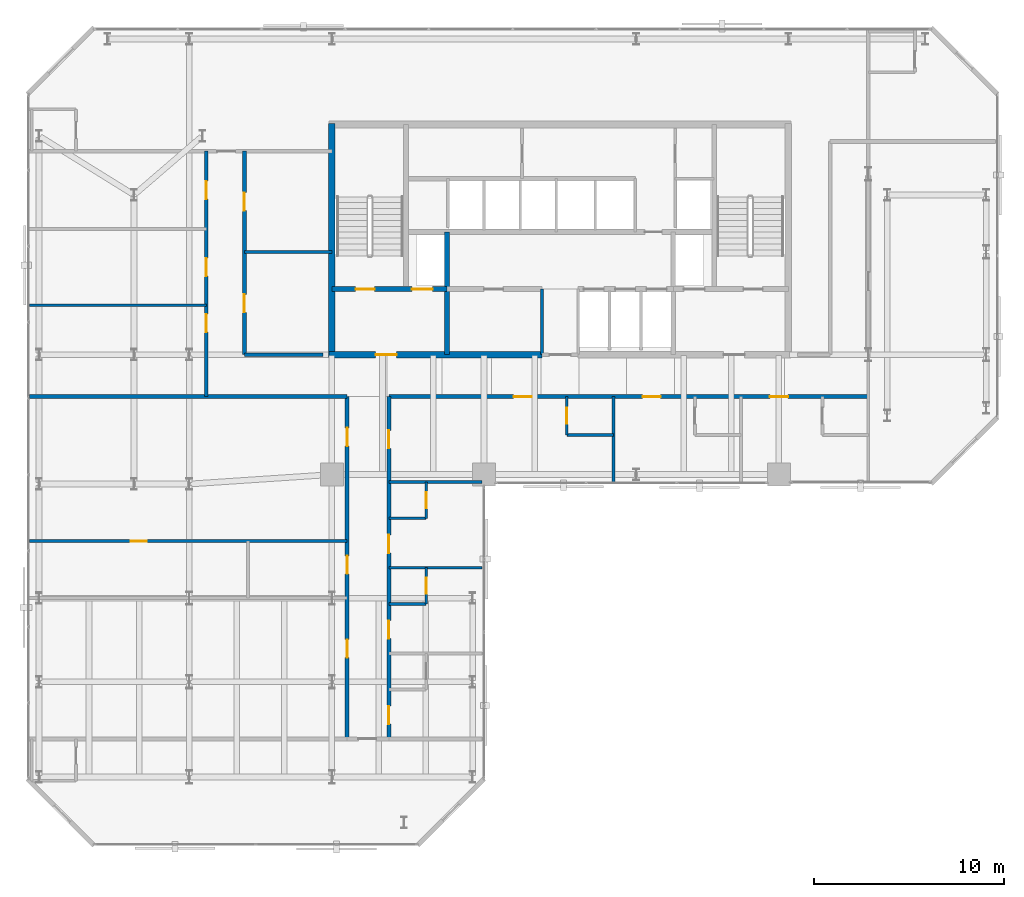
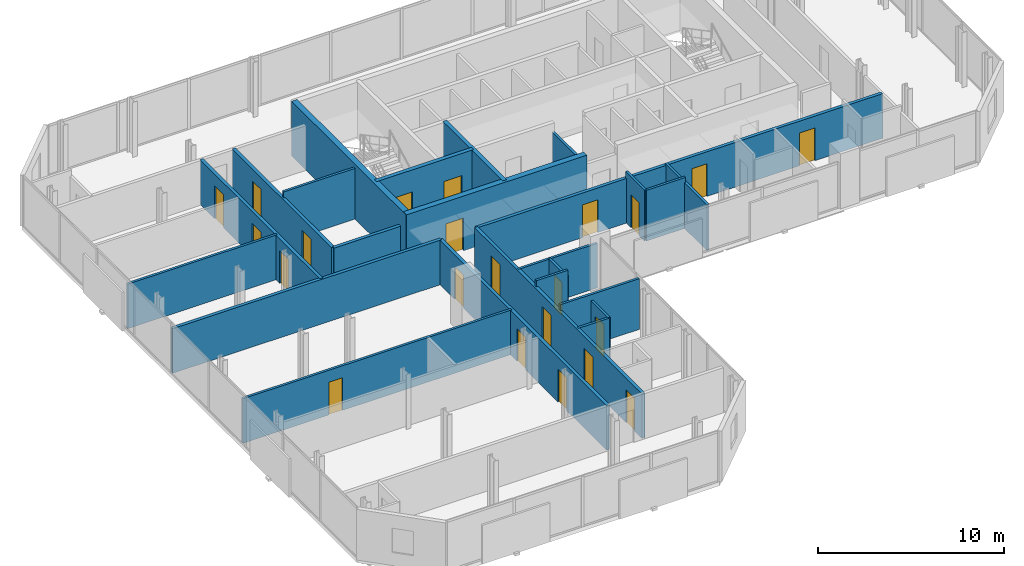
# One storey, part 28 of 32: 24 walls, 22 doors, 22 openings.
"""IFC4 building model written with IfcOpenShell, lengths in metres."""

from ifc_helpers import new_model, si_unit, direction, frame, frame_2d, origin, place, context, subcontext, project, spatial, rectangle, extrude, material, layer, layer_set, type_object, element, fill, save


model = new_model("IFC4")

# Units and contexts
model_context = context("Model", 3, precision=1e-05, world=origin(), true_north=direction((0.0, 1.0)))
body_context = subcontext(model_context, "Body", "Model", "MODEL_VIEW")
ifc_project = project(units=[si_unit("LENGTHUNIT", "METRE"), si_unit("AREAUNIT", "SQUARE_METRE"), si_unit("VOLUMEUNIT", "CUBIC_METRE"), si_unit("PLANEANGLEUNIT", "RADIAN"), si_unit("MASSUNIT", "GRAM", prefix="KILO")], contexts=[model_context])

# Site, building, storey
site_placement = place(None, origin())
site = spatial("IfcSite", under=ifc_project, at=site_placement, CompositionType="ELEMENT")
building_placement = place(site_placement, origin())
building = spatial("IfcBuilding", under=site, at=building_placement, Name="Catumbela Crestline Tower", CompositionType="ELEMENT")
storey_placement = place(building_placement, frame((0.0, 0.0, 133.2)))
storey = spatial("IfcBuildingStorey", under=building, at=storey_placement, Name="L34", CompositionType="ELEMENT", Elevation=133.2)

# Wall
ifc_material_1 = material(Name="Concrete C50/60", Category="concrete")
ifc_layer_1 = layer(ifc_material_1, 0.25, Name="Concrete C50/60")
ifc_layer_set_1 = layer_set([ifc_layer_1], Name="Concrete C50/60")
wall_type_1 = type_object("IfcWallType", Name="CW-250D", PredefinedType="SHEAR", material=ifc_layer_set_1)
wall_1_placement = place(storey_placement, frame((22.05, 30.8, 0.0), z_axis=(0.0, 0.0, 1.0), x_axis=(0.0, 1.0, 0.0)))
element("IfcWall", 1, at=wall_1_placement, inside=storey, type_object=wall_type_1, Name="L34 Structural Core Shear Wall FFW", PredefinedType="SHEAR", context=body_context, shape_type="SweptSolid", body=[
    extrude(rectangle(XDim=6.45, YDim=0.25, at=frame_2d((3.225, 0.0))), origin(), (0.0, 0.0, 1.0), 3.6),
])

# Wall, openings, doors
wall_2_placement = place(storey_placement, frame((16.0, 34.25, 0.0), z_axis=(0.0, 0.0, 1.0), x_axis=(1.0, 0.0, 0.0)))
wall_2 = element("IfcWall", 2, at=wall_2_placement, inside=storey, type_object=wall_type_1, Name="L34 Structural Core Shear Wall ST1S", PredefinedType="SHEAR", context=body_context, shape_type="SweptSolid", body=[
    extrude(rectangle(XDim=6.05, YDim=0.25, at=frame_2d((3.025, 0.0))), origin(), (0.0, 0.0, 1.0), 3.6),
])
opening_1_placement = place(wall_2_placement, frame((1.25, 0.0, 0.0)))
opening_1 = element("IfcOpeningElement", 3, at=opening_1_placement, cuts=wall_2, Name="Opening DF9-100", PredefinedType="OPENING", context=body_context, shape_type="SweptSolid", body=[
    extrude(rectangle(XDim=1.0, YDim=2.15, at=frame_2d((0.5, 1.075))), frame((0.0, 0.135, 0.0), z_axis=(0.0, -1.0, 0.0), x_axis=(1.0, 0.0, 0.0)), (0.0, 0.0, 1.0), 0.27),
])
opening_2_placement = place(wall_2_placement, frame((4.2, 0.0, 0.0)))
opening_2 = element("IfcOpeningElement", 4, at=opening_2_placement, cuts=wall_2, Name="Opening LD-110", PredefinedType="OPENING", context=body_context, shape_type="SweptSolid", body=[
    extrude(rectangle(XDim=1.1, YDim=2.15, at=frame_2d((0.55, 1.075))), frame((0.0, 0.135, 0.0), z_axis=(0.0, -1.0, 0.0), x_axis=(1.0, 0.0, 0.0)), (0.0, 0.0, 1.0), 0.27),
])
ifc_material_2 = material(Name="Stainless steel EN 1.4401", Category="steel")
door_type_1 = type_object("IfcDoorType", Name="DF9-100", OperationType="NOTDEFINED", PredefinedType="DOOR", material=ifc_material_2)
door_1_placement = place(opening_1_placement, origin())
door_1 = element("IfcDoor", 5, at=door_1_placement, inside=storey, type_object=door_type_1, Name="L34 Interior Door DR-L34-ST01", OperationType="SINGLE_SWING_LEFT", OverallHeight=2.15, OverallWidth=1.0, PredefinedType="DOOR", context=body_context, shape_type="SweptSolid", body=[
    extrude(rectangle(XDim=1.0, YDim=2.15, at=frame_2d((0.5, 1.075))), frame((0.0, 0.025, 0.0), z_axis=(0.0, -1.0, 0.0), x_axis=(1.0, 0.0, 0.0)), (0.0, 0.0, 1.0), 0.05),
])
fill(opening_1, door_1)
door_type_2 = type_object("IfcDoorType", Name="LD-110", OperationType="NOTDEFINED", PredefinedType="DOOR", material=ifc_material_2)
door_2_placement = place(opening_2_placement, origin())
door_2 = element("IfcDoor", 6, at=door_2_placement, inside=storey, type_object=door_type_2, Name="L34 Lift Landing Sliding Door FL-01", OperationType="DOUBLE_DOOR_SLIDING", OverallHeight=2.15, OverallWidth=1.1, PredefinedType="DOOR", context=body_context, shape_type="SweptSolid", body=[
    extrude(rectangle(XDim=1.1, YDim=2.15, at=frame_2d((0.55, 1.075))), frame((0.0, 0.025, 0.0), z_axis=(0.0, -1.0, 0.0), x_axis=(1.0, 0.0, 0.0)), (0.0, 0.0, 1.0), 0.05),
])
fill(opening_2, door_2)

# Wall
ifc_layer_2 = layer(ifc_material_1, 0.35, Name="Concrete C50/60")
ifc_layer_set_2 = layer_set([ifc_layer_2], Name="Concrete C50/60")
wall_type_2 = type_object("IfcWallType", Name="CW-350B", PredefinedType="SHEAR", material=ifc_layer_set_2)
wall_3_placement = place(storey_placement, frame((16.0, 30.65, 0.0), z_axis=(0.0, 0.0, 1.0), x_axis=(0.0, 1.0, 0.0)))
element("IfcWall", 7, at=wall_3_placement, inside=storey, type_object=wall_type_2, Name="L34 Structural Core Shear Wall W", PredefinedType="SHEAR", context=body_context, shape_type="SweptSolid", body=[
    extrude(rectangle(XDim=12.3, YDim=0.35, at=frame_2d((6.15, 0.0))), origin(), (0.0, 0.0, 1.0), 3.6),
])

# Wall, opening, door
wall_4_placement = place(storey_placement, frame((15.85, 30.8, 0.0), z_axis=(0.0, 0.0, 1.0), x_axis=(1.0, 0.0, 0.0)))
wall_4 = element("IfcWall", 8, at=wall_4_placement, inside=storey, type_object=wall_type_2, Name="L34 Structural Core Shear Wall SW", PredefinedType="SHEAR", context=body_context, shape_type="SweptSolid", body=[
    extrude(rectangle(XDim=11.2, YDim=0.35, at=frame_2d((5.6, 0.0))), origin(), (0.0, 0.0, 1.0), 3.6),
])
opening_3_placement = place(wall_4_placement, frame((2.45, 0.0, 0.0)))
opening_3 = element("IfcOpeningElement", 9, at=opening_3_placement, cuts=wall_4, Name="Opening DF9-110", PredefinedType="OPENING", context=body_context, shape_type="SweptSolid", body=[
    extrude(rectangle(XDim=1.1, YDim=2.15, at=frame_2d((0.55, 1.075))), frame((0.0, 0.185, 0.0), z_axis=(0.0, -1.0, 0.0), x_axis=(1.0, 0.0, 0.0)), (0.0, 0.0, 1.0), 0.37),
])
door_type_3 = type_object("IfcDoorType", Name="DF9-110", OperationType="NOTDEFINED", PredefinedType="DOOR", material=ifc_material_2)
door_3_placement = place(opening_3_placement, origin())
door_3 = element("IfcDoor", 10, at=door_3_placement, inside=storey, type_object=door_type_3, Name="L34 Interior Door DR-L34-FFW-S", OperationType="SINGLE_SWING_LEFT", OverallHeight=2.15, OverallWidth=1.1, PredefinedType="DOOR", context=body_context, shape_type="SweptSolid", body=[
    extrude(rectangle(XDim=1.1, YDim=2.15, at=frame_2d((0.55, 1.075))), frame((0.0, 0.025, 0.0), z_axis=(0.0, -1.0, 0.0), x_axis=(1.0, 0.0, 0.0)), (0.0, 0.0, 1.0), 0.05),
])
fill(opening_3, door_3)

# Wall
ifc_material_3 = material(Name="Acoustic gypsum and mineral-wool partition")
ifc_layer_3 = layer(ifc_material_3, 0.2, Name="Acoustic gypsum and mineral-wool partition")
ifc_layer_set_3 = layer_set([ifc_layer_3], Name="Acoustic gypsum and mineral-wool partition")
wall_type_3 = type_object("IfcWallType", Name="WC-200", PredefinedType="PARTITIONING", material=ifc_layer_set_3)
wall_5_placement = place(storey_placement, frame((0.1, 28.6, 0.0), z_axis=(0.0, 0.0, 1.0), x_axis=(1.0, 0.0, 0.0)))
element("IfcWall", 11, at=wall_5_placement, inside=storey, type_object=wall_type_3, Name="L34 Interior Partition PW-L34-Z2CW-N1", PredefinedType="PARTITIONING", context=body_context, shape_type="SweptSolid", body=[
    extrude(rectangle(XDim=16.7, YDim=0.2, at=frame_2d((8.35, 0.0))), origin(), (0.0, 0.0, 1.0), 2.93),
])

# Wall, openings, doors
wall_6_placement = place(storey_placement, frame((19.0, 28.6, 0.0), z_axis=(0.0, 0.0, 1.0), x_axis=(1.0, 0.0, 0.0)))
wall_6 = element("IfcWall", 12, at=wall_6_placement, inside=storey, type_object=wall_type_3, Name="L34 Interior Partition PW-L34-Z2CW-N2", PredefinedType="PARTITIONING", context=body_context, shape_type="SweptSolid", body=[
    extrude(rectangle(XDim=25.2, YDim=0.2, at=frame_2d((12.6, 0.0))), origin(), (0.0, 0.0, 1.0), 2.93),
])
opening_4_placement = place(wall_6_placement, frame((6.5609, 0.0, 0.0)))
opening_4 = element("IfcOpeningElement", 13, at=opening_4_placement, cuts=wall_6, Name="Opening DF6-095", PredefinedType="OPENING", context=body_context, shape_type="SweptSolid", body=[
    extrude(rectangle(XDim=0.95, YDim=2.15, at=frame_2d((0.475, 1.075))), frame((0.0, 0.11, 0.0), z_axis=(0.0, -1.0, 0.0), x_axis=(1.0, 0.0, 0.0)), (0.0, 0.0, 1.0), 0.22),
])
opening_5_placement = place(wall_6_placement, frame((13.3321, 0.0, 0.0)))
opening_5 = element("IfcOpeningElement", 14, at=opening_5_placement, cuts=wall_6, Name="Opening DF6-095", PredefinedType="OPENING", context=body_context, shape_type="SweptSolid", body=[
    extrude(rectangle(XDim=0.95, YDim=2.15, at=frame_2d((0.475, 1.075))), frame((0.0, 0.11, 0.0), z_axis=(0.0, -1.0, 0.0), x_axis=(1.0, 0.0, 0.0)), (0.0, 0.0, 1.0), 0.22),
])
opening_6_placement = place(wall_6_placement, frame((20.0321, 0.0, 0.0)))
opening_6 = element("IfcOpeningElement", 15, at=opening_6_placement, cuts=wall_6, Name="Opening DF6-095", PredefinedType="OPENING", context=body_context, shape_type="SweptSolid", body=[
    extrude(rectangle(XDim=0.95, YDim=2.15, at=frame_2d((0.475, 1.075))), frame((0.0, 0.11, 0.0), z_axis=(0.0, -1.0, 0.0), x_axis=(1.0, 0.0, 0.0)), (0.0, 0.0, 1.0), 0.22),
])
ifc_material_4 = material(Name="Aluminium alloy AW-6060-T66", Category="aluminium")
door_type_4 = type_object("IfcDoorType", Name="DF6-095", OperationType="NOTDEFINED", PredefinedType="DOOR", material=ifc_material_4)
door_4_placement = place(opening_4_placement, origin())
door_4 = element("IfcDoor", 16, at=door_4_placement, inside=storey, type_object=door_type_4, Name="L34 Interior Door DR-L34-SS1-ENT", OperationType="SINGLE_SWING_RIGHT", OverallHeight=2.15, OverallWidth=0.95, PredefinedType="DOOR", context=body_context, shape_type="SweptSolid", body=[
    extrude(rectangle(XDim=0.95, YDim=2.15, at=frame_2d((0.475, 1.075))), frame((0.0, 0.025, 0.0), z_axis=(0.0, -1.0, 0.0), x_axis=(1.0, 0.0, 0.0)), (0.0, 0.0, 1.0), 0.05),
])
fill(opening_4, door_4)
door_5_placement = place(opening_5_placement, origin())
door_5 = element("IfcDoor", 17, at=door_5_placement, inside=storey, type_object=door_type_4, Name="L34 Interior Door DR-L34-SS2-ENT", OperationType="SINGLE_SWING_LEFT", OverallHeight=2.15, OverallWidth=0.95, PredefinedType="DOOR", context=body_context, shape_type="SweptSolid", body=[
    extrude(rectangle(XDim=0.95, YDim=2.15, at=frame_2d((0.475, 1.075))), frame((0.0, 0.025, 0.0), z_axis=(0.0, -1.0, 0.0), x_axis=(1.0, 0.0, 0.0)), (0.0, 0.0, 1.0), 0.05),
])
fill(opening_5, door_5)
door_6_placement = place(opening_6_placement, origin())
door_6 = element("IfcDoor", 18, at=door_6_placement, inside=storey, type_object=door_type_4, Name="L34 Interior Door DR-L34-SS3-ENT", OperationType="SINGLE_SWING_RIGHT", OverallHeight=2.15, OverallWidth=0.95, PredefinedType="DOOR", context=body_context, shape_type="SweptSolid", body=[
    extrude(rectangle(XDim=0.95, YDim=2.15, at=frame_2d((0.475, 1.075))), frame((0.0, 0.025, 0.0), z_axis=(0.0, -1.0, 0.0), x_axis=(1.0, 0.0, 0.0)), (0.0, 0.0, 1.0), 0.05),
])
fill(opening_6, door_6)

# Wall
wall_7_placement = place(storey_placement, frame((11.4, 30.8, 0.0), z_axis=(0.0, 0.0, 1.0), x_axis=(1.0, 0.0, 0.0)))
element("IfcWall", 19, at=wall_7_placement, inside=storey, type_object=wall_type_3, Name="L34 Interior Partition PW-L34-Z2CW-N3", PredefinedType="PARTITIONING", context=body_context, shape_type="SweptSolid", body=[
    extrude(rectangle(XDim=4.13, YDim=0.2, at=frame_2d((2.065, 0.0))), origin(), (0.0, 0.0, 1.0), 2.93),
])

# Wall, openings, doors
wall_8_placement = place(storey_placement, frame((16.8, 10.6, 0.0), z_axis=(0.0, 0.0, 1.0), x_axis=(0.0, 1.0, 0.0)))
wall_8 = element("IfcWall", 20, at=wall_8_placement, inside=storey, type_object=wall_type_3, Name="L34 Interior Partition PW-L34-STWC-ENT", PredefinedType="PARTITIONING", context=body_context, shape_type="SweptSolid", body=[
    extrude(rectangle(XDim=18.0, YDim=0.2, at=frame_2d((9.0, 0.0))), origin(), (0.0, 0.0, 1.0), 2.93),
])
opening_7_placement = place(wall_8_placement, frame((8.6794, 0.0, 0.0)))
opening_7 = element("IfcOpeningElement", 21, at=opening_7_placement, cuts=wall_8, Name="Opening DF6-095", PredefinedType="OPENING", context=body_context, shape_type="SweptSolid", body=[
    extrude(rectangle(XDim=0.95, YDim=2.15, at=frame_2d((0.475, 1.075))), frame((0.0, 0.11, 0.0), z_axis=(0.0, -1.0, 0.0), x_axis=(1.0, 0.0, 0.0)), (0.0, 0.0, 1.0), 0.22),
])
opening_8_placement = place(wall_8_placement, frame((15.3987, 0.0, 0.0)))
opening_8 = element("IfcOpeningElement", 22, at=opening_8_placement, cuts=wall_8, Name="Opening DF6-095", PredefinedType="OPENING", context=body_context, shape_type="SweptSolid", body=[
    extrude(rectangle(XDim=0.95, YDim=2.15, at=frame_2d((0.475, 1.075))), frame((0.0, 0.11, 0.0), z_axis=(0.0, -1.0, 0.0), x_axis=(1.0, 0.0, 0.0)), (0.0, 0.0, 1.0), 0.22),
])
opening_9_placement = place(wall_8_placement, frame((4.2733, 0.0, 0.0)))
opening_9 = element("IfcOpeningElement", 23, at=opening_9_placement, cuts=wall_8, Name="Opening DF6-095", PredefinedType="OPENING", context=body_context, shape_type="SweptSolid", body=[
    extrude(rectangle(XDim=0.95, YDim=2.15, at=frame_2d((0.475, 1.075))), frame((0.0, 0.11, 0.0), z_axis=(0.0, -1.0, 0.0), x_axis=(1.0, 0.0, 0.0)), (0.0, 0.0, 1.0), 0.22),
])
door_7_placement = place(opening_7_placement, origin())
door_7 = element("IfcDoor", 24, at=door_7_placement, inside=storey, type_object=door_type_4, Name="L34 Interior Door DR-L34-STWC-ENT", OperationType="SINGLE_SWING_RIGHT", OverallHeight=2.15, OverallWidth=0.95, PredefinedType="DOOR", context=body_context, shape_type="SweptSolid", body=[
    extrude(rectangle(XDim=0.95, YDim=2.15, at=frame_2d((0.475, 1.075))), frame((0.0, 0.025, 0.0), z_axis=(0.0, -1.0, 0.0), x_axis=(1.0, 0.0, 0.0)), (0.0, 0.0, 1.0), 0.05),
])
fill(opening_7, door_7)
door_8_placement = place(opening_8_placement, origin())
door_8 = element("IfcDoor", 25, at=door_8_placement, inside=storey, type_object=door_type_4, Name="L34 Interior Door DR-L34-HKP-ENT", OperationType="SINGLE_SWING_RIGHT", OverallHeight=2.15, OverallWidth=0.95, PredefinedType="DOOR", context=body_context, shape_type="SweptSolid", body=[
    extrude(rectangle(XDim=0.95, YDim=2.15, at=frame_2d((0.475, 1.075))), frame((0.0, 0.025, 0.0), z_axis=(0.0, -1.0, 0.0), x_axis=(1.0, 0.0, 0.0)), (0.0, 0.0, 1.0), 0.05),
])
fill(opening_8, door_8)
door_9_placement = place(opening_9_placement, origin())
door_9 = element("IfcDoor", 26, at=door_9_placement, inside=storey, type_object=door_type_4, Name="L34 Interior Door DR-L34-WEXT-ENT", OperationType="SINGLE_SWING_RIGHT", OverallHeight=2.15, OverallWidth=0.95, PredefinedType="DOOR", context=body_context, shape_type="SweptSolid", body=[
    extrude(rectangle(XDim=0.95, YDim=2.15, at=frame_2d((0.475, 1.075))), frame((0.0, 0.025, 0.0), z_axis=(0.0, -1.0, 0.0), x_axis=(1.0, 0.0, 0.0)), (0.0, 0.0, 1.0), 0.05),
])
fill(opening_9, door_9)

wall_9_placement = place(storey_placement, frame((9.4, 28.6, 0.0), z_axis=(0.0, 0.0, 1.0), x_axis=(0.0, 1.0, 0.0)))
wall_9 = element("IfcWall", 27, at=wall_9_placement, inside=storey, type_object=wall_type_3, Name="L34 Interior Partition PW-L34-Z2DN1-ENT", PredefinedType="PARTITIONING", context=body_context, shape_type="SweptSolid", body=[
    extrude(rectangle(XDim=12.9, YDim=0.2, at=frame_2d((6.45, 0.0))), origin(), (0.0, 0.0, 1.0), 2.93),
])
opening_10_placement = place(wall_9_placement, frame((3.3831, 0.0, 0.0)))
opening_10 = element("IfcOpeningElement", 28, at=opening_10_placement, cuts=wall_9, Name="Opening DF6-095", PredefinedType="OPENING", context=body_context, shape_type="SweptSolid", body=[
    extrude(rectangle(XDim=0.95, YDim=2.15, at=frame_2d((0.475, 1.075))), frame((0.0, 0.11, 0.0), z_axis=(0.0, -1.0, 0.0), x_axis=(1.0, 0.0, 0.0)), (0.0, 0.0, 1.0), 0.22),
])
opening_11_placement = place(wall_9_placement, frame((6.325, 0.0, 0.0)))
opening_11 = element("IfcOpeningElement", 29, at=opening_11_placement, cuts=wall_9, Name="Opening DF6-095", PredefinedType="OPENING", context=body_context, shape_type="SweptSolid", body=[
    extrude(rectangle(XDim=0.95, YDim=2.15, at=frame_2d((0.475, 1.075))), frame((0.0, 0.11, 0.0), z_axis=(0.0, -1.0, 0.0), x_axis=(1.0, 0.0, 0.0)), (0.0, 0.0, 1.0), 0.22),
])
opening_12_placement = place(wall_9_placement, frame((10.375, 0.0, 0.0)))
opening_12 = element("IfcOpeningElement", 30, at=opening_12_placement, cuts=wall_9, Name="Opening DF6-095", PredefinedType="OPENING", context=body_context, shape_type="SweptSolid", body=[
    extrude(rectangle(XDim=0.95, YDim=2.15, at=frame_2d((0.475, 1.075))), frame((0.0, 0.11, 0.0), z_axis=(0.0, -1.0, 0.0), x_axis=(1.0, 0.0, 0.0)), (0.0, 0.0, 1.0), 0.22),
])
door_10_placement = place(opening_10_placement, origin())
door_10 = element("IfcDoor", 31, at=door_10_placement, inside=storey, type_object=door_type_4, Name="L34 Interior Door DR-L34-Z2DN1-ENT", OperationType="SINGLE_SWING_RIGHT", OverallHeight=2.15, OverallWidth=0.95, PredefinedType="DOOR", context=body_context, shape_type="SweptSolid", body=[
    extrude(rectangle(XDim=0.95, YDim=2.15, at=frame_2d((0.475, 1.075))), frame((0.0, 0.025, 0.0), z_axis=(0.0, -1.0, 0.0), x_axis=(1.0, 0.0, 0.0)), (0.0, 0.0, 1.0), 0.05),
])
fill(opening_10, door_10)
door_11_placement = place(opening_11_placement, origin())
door_11 = element("IfcDoor", 32, at=door_11_placement, inside=storey, type_object=door_type_4, Name="L34 Interior Door DR-L34-Z2ST1-ENT", OperationType="SINGLE_SWING_LEFT", OverallHeight=2.15, OverallWidth=0.95, PredefinedType="DOOR", context=body_context, shape_type="SweptSolid", body=[
    extrude(rectangle(XDim=0.95, YDim=2.15, at=frame_2d((0.475, 1.075))), frame((0.0, 0.025, 0.0), z_axis=(0.0, -1.0, 0.0), x_axis=(1.0, 0.0, 0.0)), (0.0, 0.0, 1.0), 0.05),
])
fill(opening_11, door_11)
door_12_placement = place(opening_12_placement, origin())
door_12 = element("IfcDoor", 33, at=door_12_placement, inside=storey, type_object=door_type_4, Name="L34 Interior Door DR-L34-Z2ST2-ENT", OperationType="SINGLE_SWING_RIGHT", OverallHeight=2.15, OverallWidth=0.95, PredefinedType="DOOR", context=body_context, shape_type="SweptSolid", body=[
    extrude(rectangle(XDim=0.95, YDim=2.15, at=frame_2d((0.475, 1.075))), frame((0.0, 0.025, 0.0), z_axis=(0.0, -1.0, 0.0), x_axis=(1.0, 0.0, 0.0)), (0.0, 0.0, 1.0), 0.05),
])
fill(opening_12, door_12)

wall_10_placement = place(storey_placement, frame((11.4, 30.8, 0.0), z_axis=(0.0, 0.0, 1.0), x_axis=(0.0, 1.0, 0.0)))
wall_10 = element("IfcWall", 34, at=wall_10_placement, inside=storey, type_object=wall_type_3, Name="L34 Interior Partition PW-L34-Z2RC1-ENT", PredefinedType="PARTITIONING", context=body_context, shape_type="SweptSolid", body=[
    extrude(rectangle(XDim=10.7, YDim=0.2, at=frame_2d((5.35, 0.0))), origin(), (0.0, 0.0, 1.0), 2.93),
])
opening_13_placement = place(wall_10_placement, frame((2.225, 0.0, 0.0)))
opening_13 = element("IfcOpeningElement", 35, at=opening_13_placement, cuts=wall_10, Name="Opening DF6-095", PredefinedType="OPENING", context=body_context, shape_type="SweptSolid", body=[
    extrude(rectangle(XDim=0.95, YDim=2.15, at=frame_2d((0.475, 1.075))), frame((0.0, 0.11, 0.0), z_axis=(0.0, -1.0, 0.0), x_axis=(1.0, 0.0, 0.0)), (0.0, 0.0, 1.0), 0.22),
])
opening_14_placement = place(wall_10_placement, frame((7.575, 0.0, 0.0)))
opening_14 = element("IfcOpeningElement", 36, at=opening_14_placement, cuts=wall_10, Name="Opening DF6-095", PredefinedType="OPENING", context=body_context, shape_type="SweptSolid", body=[
    extrude(rectangle(XDim=0.95, YDim=2.15, at=frame_2d((0.475, 1.075))), frame((0.0, 0.11, 0.0), z_axis=(0.0, -1.0, 0.0), x_axis=(1.0, 0.0, 0.0)), (0.0, 0.0, 1.0), 0.22),
])
door_13_placement = place(opening_13_placement, origin())
door_13 = element("IfcDoor", 37, at=door_13_placement, inside=storey, type_object=door_type_4, Name="L34 Interior Door DR-L34-Z2RC1-ENT", OperationType="SINGLE_SWING_LEFT", OverallHeight=2.15, OverallWidth=0.95, PredefinedType="DOOR", context=body_context, shape_type="SweptSolid", body=[
    extrude(rectangle(XDim=0.95, YDim=2.15, at=frame_2d((0.475, 1.075))), frame((0.0, 0.025, 0.0), z_axis=(0.0, -1.0, 0.0), x_axis=(1.0, 0.0, 0.0)), (0.0, 0.0, 1.0), 0.05),
])
fill(opening_13, door_13)
door_14_placement = place(opening_14_placement, origin())
door_14 = element("IfcDoor", 38, at=door_14_placement, inside=storey, type_object=door_type_4, Name="L34 Interior Door DR-L34-Z2KT1-ENT", OperationType="SINGLE_SWING_LEFT", OverallHeight=2.15, OverallWidth=0.95, PredefinedType="DOOR", context=body_context, shape_type="SweptSolid", body=[
    extrude(rectangle(XDim=0.95, YDim=2.15, at=frame_2d((0.475, 1.075))), frame((0.0, 0.025, 0.0), z_axis=(0.0, -1.0, 0.0), x_axis=(1.0, 0.0, 0.0)), (0.0, 0.0, 1.0), 0.05),
])
fill(opening_14, door_14)

wall_11_placement = place(storey_placement, frame((19.0, 10.6, 0.0), z_axis=(0.0, 0.0, 1.0), x_axis=(0.0, 1.0, 0.0)))
wall_11 = element("IfcWall", 39, at=wall_11_placement, inside=storey, type_object=wall_type_3, Name="L34 Interior Partition PW-L34-SW1-ENT", PredefinedType="PARTITIONING", context=body_context, shape_type="SweptSolid", body=[
    extrude(rectangle(XDim=18.0, YDim=0.2, at=frame_2d((9.0, 0.0))), origin(), (0.0, 0.0, 1.0), 2.93),
])
opening_15_placement = place(wall_11_placement, frame((0.7725, 0.0, 0.0)))
opening_15 = element("IfcOpeningElement", 40, at=opening_15_placement, cuts=wall_11, Name="Opening DF6-095", PredefinedType="OPENING", context=body_context, shape_type="SweptSolid", body=[
    extrude(rectangle(XDim=0.95, YDim=2.15, at=frame_2d((0.475, 1.075))), frame((0.0, 0.11, 0.0), z_axis=(0.0, -1.0, 0.0), x_axis=(1.0, 0.0, 0.0)), (0.0, 0.0, 1.0), 0.22),
])
opening_16_placement = place(wall_11_placement, frame((5.2725, 0.0, 0.0)))
opening_16 = element("IfcOpeningElement", 41, at=opening_16_placement, cuts=wall_11, Name="Opening DF6-095", PredefinedType="OPENING", context=body_context, shape_type="SweptSolid", body=[
    extrude(rectangle(XDim=0.95, YDim=2.15, at=frame_2d((0.475, 1.075))), frame((0.0, 0.11, 0.0), z_axis=(0.0, -1.0, 0.0), x_axis=(1.0, 0.0, 0.0)), (0.0, 0.0, 1.0), 0.22),
])
opening_17_placement = place(wall_11_placement, frame((9.7725, 0.0, 0.0)))
opening_17 = element("IfcOpeningElement", 42, at=opening_17_placement, cuts=wall_11, Name="Opening DF6-095", PredefinedType="OPENING", context=body_context, shape_type="SweptSolid", body=[
    extrude(rectangle(XDim=0.95, YDim=2.15, at=frame_2d((0.475, 1.075))), frame((0.0, 0.11, 0.0), z_axis=(0.0, -1.0, 0.0), x_axis=(1.0, 0.0, 0.0)), (0.0, 0.0, 1.0), 0.22),
])
opening_18_placement = place(wall_11_placement, frame((15.275, 0.0, 0.0)))
opening_18 = element("IfcOpeningElement", 43, at=opening_18_placement, cuts=wall_11, Name="Opening DF6-095", PredefinedType="OPENING", context=body_context, shape_type="SweptSolid", body=[
    extrude(rectangle(XDim=0.95, YDim=2.15, at=frame_2d((0.475, 1.075))), frame((0.0, 0.11, 0.0), z_axis=(0.0, -1.0, 0.0), x_axis=(1.0, 0.0, 0.0)), (0.0, 0.0, 1.0), 0.22),
])
door_15_placement = place(opening_15_placement, origin())
door_15 = element("IfcDoor", 44, at=door_15_placement, inside=storey, type_object=door_type_4, Name="L34 Interior Door DR-L34-SW1-ENT", OperationType="SINGLE_SWING_RIGHT", OverallHeight=2.15, OverallWidth=0.95, PredefinedType="DOOR", context=body_context, shape_type="SweptSolid", body=[
    extrude(rectangle(XDim=0.95, YDim=2.15, at=frame_2d((0.475, 1.075))), frame((0.0, 0.025, 0.0), z_axis=(0.0, -1.0, 0.0), x_axis=(1.0, 0.0, 0.0)), (0.0, 0.0, 1.0), 0.05),
])
fill(opening_15, door_15)
door_16_placement = place(opening_16_placement, origin())
door_16 = element("IfcDoor", 45, at=door_16_placement, inside=storey, type_object=door_type_4, Name="L34 Interior Door DR-L34-SW2-ENT", OperationType="SINGLE_SWING_LEFT", OverallHeight=2.15, OverallWidth=0.95, PredefinedType="DOOR", context=body_context, shape_type="SweptSolid", body=[
    extrude(rectangle(XDim=0.95, YDim=2.15, at=frame_2d((0.475, 1.075))), frame((0.0, 0.025, 0.0), z_axis=(0.0, -1.0, 0.0), x_axis=(1.0, 0.0, 0.0)), (0.0, 0.0, 1.0), 0.05),
])
fill(opening_16, door_16)
door_17_placement = place(opening_17_placement, origin())
door_17 = element("IfcDoor", 46, at=door_17_placement, inside=storey, type_object=door_type_4, Name="L34 Interior Door DR-L34-SW3-ENT", OperationType="SINGLE_SWING_RIGHT", OverallHeight=2.15, OverallWidth=0.95, PredefinedType="DOOR", context=body_context, shape_type="SweptSolid", body=[
    extrude(rectangle(XDim=0.95, YDim=2.15, at=frame_2d((0.475, 1.075))), frame((0.0, 0.025, 0.0), z_axis=(0.0, -1.0, 0.0), x_axis=(1.0, 0.0, 0.0)), (0.0, 0.0, 1.0), 0.05),
])
fill(opening_17, door_17)
door_18_placement = place(opening_18_placement, origin())
door_18 = element("IfcDoor", 47, at=door_18_placement, inside=storey, type_object=door_type_4, Name="L34 Interior Door DR-L34-SW4-ENT", OperationType="SINGLE_SWING_LEFT", OverallHeight=2.15, OverallWidth=0.95, PredefinedType="DOOR", context=body_context, shape_type="SweptSolid", body=[
    extrude(rectangle(XDim=0.95, YDim=2.15, at=frame_2d((0.475, 1.075))), frame((0.0, 0.025, 0.0), z_axis=(0.0, -1.0, 0.0), x_axis=(1.0, 0.0, 0.0)), (0.0, 0.0, 1.0), 0.05),
])
fill(opening_18, door_18)

# Wall, opening, door
ifc_layer_4 = layer(ifc_material_3, 0.15, Name="Acoustic gypsum and mineral-wool partition")
ifc_layer_set_4 = layer_set([ifc_layer_4], Name="Acoustic gypsum and mineral-wool partition")
wall_type_4 = type_object("IfcWallType", Name="WP-150", PredefinedType="PARTITIONING", material=ifc_layer_set_4)
wall_12_placement = place(storey_placement, frame((0.1, 21.0, 0.0), z_axis=(0.0, 0.0, 1.0), x_axis=(1.0, 0.0, 0.0)))
wall_12 = element("IfcWall", 48, at=wall_12_placement, inside=storey, type_object=wall_type_4, Name="L34 Interior Partition PW-L34-Z2W-2", PredefinedType="PARTITIONING", context=body_context, shape_type="SweptSolid", body=[
    extrude(rectangle(XDim=16.7, YDim=0.15, at=frame_2d((8.35, 0.0))), origin(), (0.0, 0.0, 1.0), 2.93),
])
opening_19_placement = place(wall_12_placement, frame((5.325, 0.0, 0.0)))
opening_19 = element("IfcOpeningElement", 49, at=opening_19_placement, cuts=wall_12, Name="Opening DI-085", PredefinedType="OPENING", context=body_context, shape_type="SweptSolid", body=[
    extrude(rectangle(XDim=0.85, YDim=2.15, at=frame_2d((0.425, 1.075))), frame((0.0, 0.085, 0.0), z_axis=(0.0, -1.0, 0.0), x_axis=(1.0, 0.0, 0.0)), (0.0, 0.0, 1.0), 0.17),
])
door_type_5 = type_object("IfcDoorType", Name="DI-085", OperationType="NOTDEFINED", PredefinedType="DOOR", material=ifc_material_4)
door_19_placement = place(opening_19_placement, origin())
door_19 = element("IfcDoor", 50, at=door_19_placement, inside=storey, type_object=door_type_5, Name="L34 Interior Door DR-L34-STSTO", OperationType="SINGLE_SWING_LEFT", OverallHeight=2.15, OverallWidth=0.85, PredefinedType="DOOR", context=body_context, shape_type="SweptSolid", body=[
    extrude(rectangle(XDim=0.85, YDim=2.15, at=frame_2d((0.425, 1.075))), frame((0.0, 0.025, 0.0), z_axis=(0.0, -1.0, 0.0), x_axis=(1.0, 0.0, 0.0)), (0.0, 0.0, 1.0), 0.05),
])
fill(opening_19, door_19)

# Walls
wall_13_placement = place(storey_placement, frame((0.1, 33.4, 0.0), z_axis=(0.0, 0.0, 1.0), x_axis=(1.0, 0.0, 0.0)))
element("IfcWall", 51, at=wall_13_placement, inside=storey, type_object=wall_type_4, Name="L34 Interior Partition PW-L34-Z2G4-1", PredefinedType="PARTITIONING", context=body_context, shape_type="SweptSolid", body=[
    extrude(rectangle(XDim=9.3, YDim=0.15, at=frame_2d((4.65, 0.0))), origin(), (0.0, 0.0, 1.0), 2.93),
])
wall_14_placement = place(storey_placement, frame((11.4, 36.2, 0.0), z_axis=(0.0, 0.0, 1.0), x_axis=(1.0, 0.0, 0.0)))
element("IfcWall", 52, at=wall_14_placement, inside=storey, type_object=wall_type_4, Name="L34 Interior Partition PW-L34-Z2G4-3", PredefinedType="PARTITIONING", context=body_context, shape_type="SweptSolid", body=[
    extrude(rectangle(XDim=4.6, YDim=0.15, at=frame_2d((2.3, 0.0))), origin(), (0.0, 0.0, 1.0), 3.33),
])
wall_15_placement = place(storey_placement, frame((19.0, 17.7, 0.0), z_axis=(0.0, 0.0, 1.0), x_axis=(1.0, 0.0, 0.0)))
element("IfcWall", 53, at=wall_15_placement, inside=storey, type_object=wall_type_4, Name="L34 Interior Partition PW-L34-SW2-BSW", PredefinedType="PARTITIONING", context=body_context, shape_type="SweptSolid", body=[
    extrude(rectangle(XDim=1.96, YDim=0.15, at=frame_2d((0.98, 0.0))), origin(), (0.0, 0.0, 1.0), 2.93),
])

# Wall, opening, door
wall_16_placement = place(storey_placement, frame((20.96, 17.7, 0.0), z_axis=(0.0, 0.0, 1.0), x_axis=(0.0, 1.0, 0.0)))
wall_16 = element("IfcWall", 54, at=wall_16_placement, inside=storey, type_object=wall_type_4, Name="L34 Interior Partition PW-L34-SW2-BEW", PredefinedType="PARTITIONING", context=body_context, shape_type="SweptSolid", body=[
    extrude(rectangle(XDim=1.9, YDim=0.15, at=frame_2d((0.95, 0.0))), origin(), (0.0, 0.0, 1.0), 2.93),
])
opening_20_placement = place(wall_16_placement, frame((0.525, 0.0, 0.0)))
opening_20 = element("IfcOpeningElement", 55, at=opening_20_placement, cuts=wall_16, Name="Opening DI-085", PredefinedType="OPENING", context=body_context, shape_type="SweptSolid", body=[
    extrude(rectangle(XDim=0.85, YDim=2.15, at=frame_2d((0.425, 1.075))), frame((0.0, 0.085, 0.0), z_axis=(0.0, -1.0, 0.0), x_axis=(1.0, 0.0, 0.0)), (0.0, 0.0, 1.0), 0.17),
])
door_20_placement = place(opening_20_placement, origin())
door_20 = element("IfcDoor", 56, at=door_20_placement, inside=storey, type_object=door_type_5, Name="L34 Interior Door DR-L34-SW2-BTH", OperationType="SINGLE_SWING_LEFT", OverallHeight=2.15, OverallWidth=0.85, PredefinedType="DOOR", context=body_context, shape_type="SweptSolid", body=[
    extrude(rectangle(XDim=0.85, YDim=2.15, at=frame_2d((0.425, 1.075))), frame((0.0, 0.025, 0.0), z_axis=(0.0, -1.0, 0.0), x_axis=(1.0, 0.0, 0.0)), (0.0, 0.0, 1.0), 0.05),
])
fill(opening_20, door_20)

# Walls
wall_17_placement = place(storey_placement, frame((19.0, 19.6, 0.0), z_axis=(0.0, 0.0, 1.0), x_axis=(1.0, 0.0, 0.0)))
element("IfcWall", 57, at=wall_17_placement, inside=storey, type_object=wall_type_4, Name="L34 Interior Partition PW-L34-SW2-BCL-1", PredefinedType="PARTITIONING", context=body_context, shape_type="SweptSolid", body=[
    extrude(rectangle(XDim=4.9, YDim=0.15, at=frame_2d((2.45, 0.0))), origin(), (0.0, 0.0, 1.0), 3.33),
])
wall_18_placement = place(storey_placement, frame((19.0, 22.2, 0.0), z_axis=(0.0, 0.0, 1.0), x_axis=(1.0, 0.0, 0.0)))
element("IfcWall", 58, at=wall_18_placement, inside=storey, type_object=wall_type_4, Name="L34 Interior Partition PW-L34-SW3-BSW", PredefinedType="PARTITIONING", context=body_context, shape_type="SweptSolid", body=[
    extrude(rectangle(XDim=1.96, YDim=0.15, at=frame_2d((0.98, 0.0))), origin(), (0.0, 0.0, 1.0), 3.33),
])

# Wall, opening, door
wall_19_placement = place(storey_placement, frame((20.96, 22.2, 0.0), z_axis=(0.0, 0.0, 1.0), x_axis=(0.0, 1.0, 0.0)))
wall_19 = element("IfcWall", 59, at=wall_19_placement, inside=storey, type_object=wall_type_4, Name="L34 Interior Partition PW-L34-SW3-BEW", PredefinedType="PARTITIONING", context=body_context, shape_type="SweptSolid", body=[
    extrude(rectangle(XDim=1.9, YDim=0.15, at=frame_2d((0.95, 0.0))), origin(), (0.0, 0.0, 1.0), 2.93),
])
opening_21_placement = place(wall_19_placement, frame((0.525, 0.0, 0.0)))
opening_21 = element("IfcOpeningElement", 60, at=opening_21_placement, cuts=wall_19, Name="Opening DI-085", PredefinedType="OPENING", context=body_context, shape_type="SweptSolid", body=[
    extrude(rectangle(XDim=0.85, YDim=2.15, at=frame_2d((0.425, 1.075))), frame((0.0, 0.085, 0.0), z_axis=(0.0, -1.0, 0.0), x_axis=(1.0, 0.0, 0.0)), (0.0, 0.0, 1.0), 0.17),
])
door_21_placement = place(opening_21_placement, origin())
door_21 = element("IfcDoor", 61, at=door_21_placement, inside=storey, type_object=door_type_5, Name="L34 Interior Door DR-L34-SW3-BTH", OperationType="SINGLE_SWING_LEFT", OverallHeight=2.15, OverallWidth=0.85, PredefinedType="DOOR", context=body_context, shape_type="SweptSolid", body=[
    extrude(rectangle(XDim=0.85, YDim=2.15, at=frame_2d((0.425, 1.075))), frame((0.0, 0.025, 0.0), z_axis=(0.0, -1.0, 0.0), x_axis=(1.0, 0.0, 0.0)), (0.0, 0.0, 1.0), 0.05),
])
fill(opening_21, door_21)

# Walls
wall_20_placement = place(storey_placement, frame((19.0, 24.1, 0.0), z_axis=(0.0, 0.0, 1.0), x_axis=(1.0, 0.0, 0.0)))
element("IfcWall", 62, at=wall_20_placement, inside=storey, type_object=wall_type_4, Name="L34 Interior Partition PW-L34-SW3-BCL-1", PredefinedType="PARTITIONING", context=body_context, shape_type="SweptSolid", body=[
    extrude(rectangle(XDim=4.9, YDim=0.15, at=frame_2d((2.45, 0.0))), origin(), (0.0, 0.0, 1.0), 2.93),
])
wall_21_placement = place(storey_placement, frame((28.352, 26.576, 0.0), z_axis=(0.0, 0.0, 1.0), x_axis=(1.0, 0.0, 0.0)))
element("IfcWall", 63, at=wall_21_placement, inside=storey, type_object=wall_type_4, Name="L34 Interior Partition PW-L34-SS1-BHW", PredefinedType="PARTITIONING", context=body_context, shape_type="SweptSolid", body=[
    extrude(rectangle(XDim=2.448, YDim=0.15, at=frame_2d((1.224, 0.0))), origin(), (0.0, 0.0, 1.0), 3.33),
])

# Wall, opening, door
wall_22_placement = place(storey_placement, frame((28.352, 26.576, 0.0), z_axis=(0.0, 0.0, 1.0), x_axis=(0.0, 1.0, 0.0)))
wall_22 = element("IfcWall", 64, at=wall_22_placement, inside=storey, type_object=wall_type_4, Name="L34 Interior Partition PW-L34-SS1-BWW", PredefinedType="PARTITIONING", context=body_context, shape_type="SweptSolid", body=[
    extrude(rectangle(XDim=2.024, YDim=0.15, at=frame_2d((1.012, 0.0))), origin(), (0.0, 0.0, 1.0), 3.33),
])
opening_22_placement = place(wall_22_placement, frame((0.587, 0.0, 0.0)))
opening_22 = element("IfcOpeningElement", 65, at=opening_22_placement, cuts=wall_22, Name="Opening DI-085", PredefinedType="OPENING", context=body_context, shape_type="SweptSolid", body=[
    extrude(rectangle(XDim=0.85, YDim=2.15, at=frame_2d((0.425, 1.075))), frame((0.0, 0.085, 0.0), z_axis=(0.0, -1.0, 0.0), x_axis=(1.0, 0.0, 0.0)), (0.0, 0.0, 1.0), 0.17),
])
door_22_placement = place(opening_22_placement, origin())
door_22 = element("IfcDoor", 66, at=door_22_placement, inside=storey, type_object=door_type_5, Name="L34 Interior Door DR-L34-SS1-BTH", OperationType="SINGLE_SWING_RIGHT", OverallHeight=2.15, OverallWidth=0.85, PredefinedType="DOOR", context=body_context, shape_type="SweptSolid", body=[
    extrude(rectangle(XDim=0.85, YDim=2.15, at=frame_2d((0.425, 1.075))), frame((0.0, 0.025, 0.0), z_axis=(0.0, -1.0, 0.0), x_axis=(1.0, 0.0, 0.0)), (0.0, 0.0, 1.0), 0.05),
])
fill(opening_22, door_22)

# Walls
wall_23_placement = place(storey_placement, frame((30.8, 28.6, 0.0), z_axis=(0.0, 0.0, 1.0), x_axis=(0.0, -1.0, 0.0)))
element("IfcWall", 67, at=wall_23_placement, inside=storey, type_object=wall_type_4, Name="L34 Interior Partition PW-L34-SS1-BCL-2", PredefinedType="PARTITIONING", context=body_context, shape_type="SweptSolid", body=[
    extrude(rectangle(XDim=4.5, YDim=0.15, at=frame_2d((2.25, 0.0))), origin(), (0.0, 0.0, 1.0), 3.01),
])
ifc_layer_5 = layer(ifc_material_3, 0.15, Name="Acoustic gypsum and mineral-wool partition")
ifc_layer_set_5 = layer_set([ifc_layer_5], Name="Acoustic gypsum and mineral-wool partition")
wall_type_5 = type_object("IfcWallType", Name="WS-150", PredefinedType="PLUMBINGWALL", material=ifc_layer_set_5)
wall_24_placement = place(storey_placement, frame((27.05, 30.8, 0.0), z_axis=(0.0, 0.0, 1.0), x_axis=(0.0, 1.0, 0.0)))
element("IfcWall", 68, at=wall_24_placement, inside=storey, type_object=wall_type_5, Name="L34 Interior Partition PW-L34-THRW", PredefinedType="PLUMBINGWALL", context=body_context, shape_type="SweptSolid", body=[
    extrude(rectangle(XDim=3.45, YDim=0.15, at=frame_2d((1.725, 0.0))), origin(), (0.0, 0.0, 1.0), 2.96),
])

save(model, "model.ifc")
